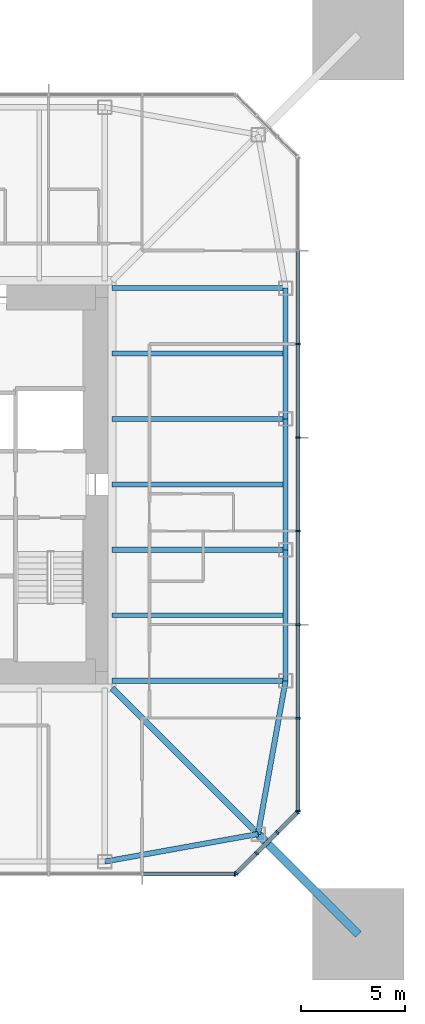
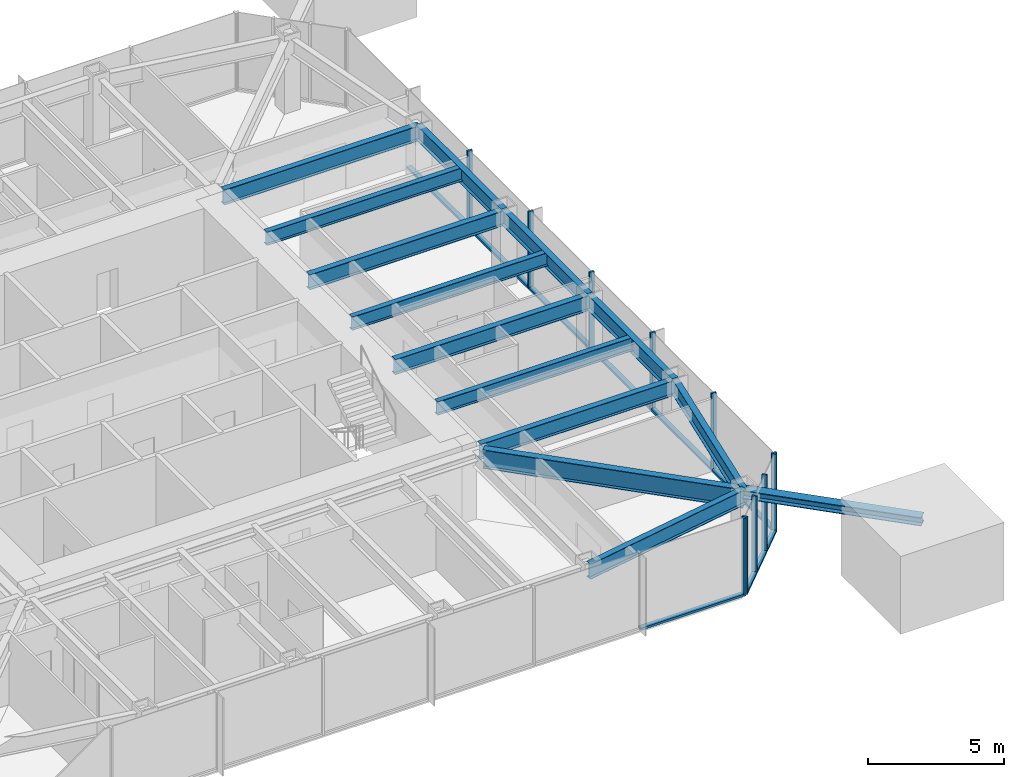
# One storey, part 3 of 11: 22 members, 13 beams, 3 elements without a shape of their own.
"""IFC4 building model written with IfcOpenShell, lengths in metres."""

import ifcopenshell
import ifcopenshell.guid

model = None  # the IFC model being written
_history = None  # IfcOwnerHistory: only IFC2X3 demands one
_inside = {}  # id of a spatial element -> (the spatial element, [elements in it])
_under = {}  # id of a project, library or spatial element -> (it, [spatial elements below it])
_declared = {}  # id of a project -> (the project, [libraries it declares])
_typed = {}  # id of a type object -> (the type object, [elements of that type])
_made_of = {}  # id of a material, layer set ... -> (it, [elements and type objects made of it])


def new_model(schema):
    """Start an empty IFC model of exactly this schema.

    Asked for "IFC4X3", IfcOpenShell would pick the latest addendum, in which some entities
    have other attributes; the version numbers below select the first issue.
    IFC2X3 requires an IfcOwnerHistory on every rooted entity: one is made here for all.
    """
    global model, _history
    if schema == "IFC4X3":
        model = ifcopenshell.file(schema_version=(4, 3, 0, 0))
    else:
        model = ifcopenshell.file(schema=schema)
    _inside.clear()
    _under.clear()
    _declared.clear()
    _typed.clear()
    _made_of.clear()
    _history = None
    if model.schema == "IFC2X3":
        org = make("IfcOrganization", Name="unknown")
        user = make(
            "IfcPersonAndOrganization",
            ThePerson=make("IfcPerson", FamilyName="unknown"),
            TheOrganization=org,
        )
        app = make(
            "IfcApplication",
            ApplicationDeveloper=org,
            Version="unknown",
            ApplicationFullName="unknown",
            ApplicationIdentifier="unknown",
        )
        _history = make(
            "IfcOwnerHistory",
            OwningUser=user,
            OwningApplication=app,
            ChangeAction="ADDED",
            CreationDate=0,
        )
    return model


def make(cls, **values):
    """One entity of the class cls with the attributes given. An attribute that is None is left unset."""
    return model.create_entity(
        cls, **{name: value for name, value in values.items() if value is not None}
    )


def rooted(cls, **values):
    """An entity with a GlobalId (a new one), such as an element, a storey or a relation."""
    return make(cls, GlobalId=ifcopenshell.guid.new(), OwnerHistory=_history, **values)


def si_unit(unit_type, name, prefix=None):
    """IfcSIUnit, for example si_unit("LENGTHUNIT", "METRE", prefix="MILLI")."""
    return make("IfcSIUnit", UnitType=unit_type, Prefix=prefix, Name=name)


def assignment(units):
    """IfcUnitAssignment: the units of a project."""
    return None if units is None else make("IfcUnitAssignment", Units=units)


def point(xyz):
    """IfcCartesianPoint."""
    return None if xyz is None else make("IfcCartesianPoint", Coordinates=xyz)


def direction(xyz):
    """IfcDirection."""
    return None if xyz is None else make("IfcDirection", DirectionRatios=xyz)


def frame(location, z_axis=None, x_axis=None):
    """IfcAxis2Placement3D, a coordinate frame: its origin and axes. An axis left out is left unset."""
    return make(
        "IfcAxis2Placement3D",
        Location=point(location),
        Axis=direction(z_axis),
        RefDirection=direction(x_axis),
    )


def frame_2d(location, x_axis=None):
    """IfcAxis2Placement2D, a coordinate frame in the plane: its origin and x axis."""
    return make(
        "IfcAxis2Placement2D", Location=point(location), RefDirection=direction(x_axis)
    )


def origin():
    """The frame at (0, 0, 0) with its axes left unset."""
    return frame((0.0, 0.0, 0.0))


def origin_2d():
    """The frame at (0, 0) in the plane with its x axis left unset."""
    return frame_2d((0.0, 0.0))


def place(relative_to, where):
    """IfcLocalPlacement: puts the frame where relative to a parent placement (None: the world)."""
    return make(
        "IfcLocalPlacement", PlacementRelTo=relative_to, RelativePlacement=where
    )


def context(
    kind, dimensions, precision=None, world=None, true_north=None, identifier=None
):
    """IfcGeometricRepresentationContext, for example the 3D "Model" context."""
    return make(
        "IfcGeometricRepresentationContext",
        ContextIdentifier=identifier,
        ContextType=kind,
        CoordinateSpaceDimension=dimensions,
        Precision=precision,
        WorldCoordinateSystem=world,
        TrueNorth=true_north,
    )


def subcontext(parent, identifier, kind, view, scale=None):
    """IfcGeometricRepresentationSubContext, for example "Body" below "Model"."""
    return make(
        "IfcGeometricRepresentationSubContext",
        ContextIdentifier=identifier,
        ContextType=kind,
        ParentContext=parent,
        TargetScale=scale,
        TargetView=view,
    )


def project(units=None, contexts=None):
    """IfcProject with its units and contexts."""
    return rooted(
        "IfcProject",
        Name="project",
        RepresentationContexts=contexts,
        UnitsInContext=assignment(units),
    )


def spatial(cls, under=None, at=None, **own):
    """A site, building, storey or space (cls), placed at a placement, below another one or the project."""
    s = rooted(cls, ObjectPlacement=at, **own)
    if under is not None:
        _under.setdefault(under.id(), (under, []))[1].append(s)
    return s


def profile(cls, at=None, kind="AREA", **sizes):
    """A parametric profile (cls). Its sizes go by their IFC names, for example OverallWidth=200.0."""
    return make(cls, ProfileType=kind, Position=at, **sizes)


def rectangle(**sizes):
    """IfcRectangleProfileDef."""
    return profile("IfcRectangleProfileDef", **sizes)


def i_section(**sizes):
    """IfcIShapeProfileDef."""
    return profile("IfcIShapeProfileDef", **sizes)


def extrude(swept, where, along, depth):
    """IfcExtrudedAreaSolid: the profile swept, set in the frame where, extruded along a direction by depth."""
    return make(
        "IfcExtrudedAreaSolid",
        SweptArea=swept,
        Position=where,
        ExtrudedDirection=direction(along),
        Depth=depth,
    )


def shape(context_of_items, identifier, shape_type, items):
    """IfcShapeRepresentation: the items that make up one representation, for example the "Body"."""
    return make(
        "IfcShapeRepresentation",
        ContextOfItems=context_of_items,
        RepresentationIdentifier=identifier,
        RepresentationType=shape_type,
        Items=items,
    )


def material(Name=None, Category=None):
    """IfcMaterial."""
    return make("IfcMaterial", Name=Name, Category=Category)


def material_profile(
    of_material, cross_section, Name=None, Category=None, Priority=None
):
    """IfcMaterialProfile: a cross section and its material."""
    return make(
        "IfcMaterialProfile",
        Name=Name,
        Material=of_material,
        Profile=cross_section,
        Priority=Priority,
        Category=Category,
    )


def profile_set(profiles, Name=None, composite=None):
    """IfcMaterialProfileSet."""
    return make(
        "IfcMaterialProfileSet",
        Name=Name,
        MaterialProfiles=profiles,
        CompositeProfile=composite,
    )


def made_of(thing, what):
    """Note that an element or type object is made of a material, layer set ...; save() writes the relation."""
    if what is not None:
        _made_of.setdefault(what.id(), (what, []))[1].append(thing)
    return thing


def type_object(cls, material=None, **own):
    """A type object (cls), such as IfcWallType, which elements share."""
    return made_of(rooted(cls, **own), material)


def element(
    cls,
    number,
    at=None,
    inside=None,
    cuts=None,
    type_object=None,
    material=None,
    context=None,
    identifier="Body",
    shape_type=None,
    held_by="IfcProductDefinitionShape",
    body=None,
    shapes=None,
    **own,
):
    """One element of the class cls, such as IfcWall. Its Tag is "e" and its number.

    at: its placement. inside: the storey or other place that contains it. cuts: it is an
    opening in that element (IfcRelVoidsElement). A single representation is given by context,
    identifier, shape_type and body (its items); several are given by shapes. held_by: the class
    of the entity that holds the representations. save() writes the other relations.
    """
    e = rooted(cls, Tag="e%d" % number, ObjectPlacement=at, **own)
    if body is not None:
        shapes = [shape(context, identifier, shape_type, body)]
    if shapes is not None:
        e.Representation = make(held_by, Representations=shapes)
    if inside is not None:
        _inside.setdefault(inside.id(), (inside, []))[1].append(e)
    if cuts is not None:
        rooted(
            "IfcRelVoidsElement", RelatingBuildingElement=cuts, RelatedOpeningElement=e
        )
    if type_object is not None:
        _typed.setdefault(type_object.id(), (type_object, []))[1].append(e)
    return made_of(e, material)


def aggregate(whole, parts):
    """IfcRelAggregates: a whole, such as a stair, and the parts it consists of."""
    return rooted("IfcRelAggregates", RelatingObject=whole, RelatedObjects=parts)


def save(model, path):
    """Write the relations noted so far, then the file.

    IfcRelAggregates (storeys below a building ...), IfcRelContainedInSpatialStructure (elements
    in a storey), IfcRelDefinesByType, IfcRelAssociatesMaterial and IfcRelDeclares: one each for
    every whole, place, type object, material and project.
    """
    for whole, parts in _under.values():
        aggregate(whole, parts)
    for where, things in _inside.values():
        rooted(
            "IfcRelContainedInSpatialStructure",
            RelatedElements=things,
            RelatingStructure=where,
        )
    for kind, things in _typed.values():
        rooted("IfcRelDefinesByType", RelatedObjects=things, RelatingType=kind)
    for what, things in _made_of.values():
        rooted("IfcRelAssociatesMaterial", RelatedObjects=things, RelatingMaterial=what)
    for by, libraries in _declared.values():
        rooted("IfcRelDeclares", RelatingContext=by, RelatedDefinitions=libraries)
    model.write(path)


model = new_model("IFC4")

# Units and contexts
model_context = context("Model", 3, precision=1e-05, world=origin(), true_north=direction((0.0, 1.0)))
body_context = subcontext(model_context, "Body", "Model", "MODEL_VIEW")
ifc_project = project(units=[si_unit("LENGTHUNIT", "METRE"), si_unit("AREAUNIT", "SQUARE_METRE"), si_unit("VOLUMEUNIT", "CUBIC_METRE"), si_unit("PLANEANGLEUNIT", "RADIAN"), si_unit("MASSUNIT", "GRAM", prefix="KILO")], contexts=[model_context])

# Site, building, storey
site_placement = place(None, origin())
site = spatial("IfcSite", under=ifc_project, at=site_placement, CompositionType="ELEMENT")
building_placement = place(site_placement, origin())
building = spatial("IfcBuilding", under=site, at=building_placement, Name="Iwan Alto Co-Living Towers", CompositionType="ELEMENT")
storey_placement = place(building_placement, frame((0.0, 0.0, 188.0)))
storey = spatial("IfcBuildingStorey", under=building, at=storey_placement, Name="L51", CompositionType="ELEMENT", Elevation=188.0)

# Curtain wall, member
ifc_material_1 = material(Name="Bronze aluminium unitised frame", Category="aluminium")
curtain_wall_type_1 = type_object("IfcCurtainWallType", Name="CURTAIN WALL CW-A", PredefinedType="NOTDEFINED", material=ifc_material_1)
curtain_wall_1_placement = place(storey_placement, origin())
curtain_wall_1 = element("IfcCurtainWall", 1, at=curtain_wall_1_placement, inside=storey, type_object=curtain_wall_type_1, Name="T1 curtain wall S L51", PredefinedType="NOTDEFINED")
ifc_material_2 = material(Name="Aluminium 6063-T6 bronze anodised", Category="aluminium")
ifc_material_profile_1 = material_profile(ifc_material_2, rectangle(XDim=0.199951171875, YDim=0.080078125, at=origin_2d()), Name="AL 80X200")
ifc_profile_set_1 = profile_set([ifc_material_profile_1], Name="Aluminium 6063-T6 bronze anodised")
member_type_1 = type_object("IfcMemberType", Name="CW-A MULLION 80X200", PredefinedType="MULLION", material=ifc_profile_set_1)
member_1_placement = place(storey_placement, frame((15.7099609375, -18.75, 0.0), z_axis=(0.0, 0.0, 1.0), x_axis=(0.0, 1.0, 0.0)))
member_1 = element("IfcMember", 2, at=member_1_placement, type_object=member_type_1, Name="CW-A mullion 8", PredefinedType="MULLION", context=body_context, shape_type="SweptSolid", body=[
    extrude(rectangle(XDim=0.199951171875, YDim=0.080078125, at=origin_2d()), origin(), (0.0, 0.0, 1.0), 3.5),
])

# Curtain wall, members
curtain_wall_2_placement = place(storey_placement, origin())
curtain_wall_2 = element("IfcCurtainWall", 3, at=curtain_wall_2_placement, inside=storey, type_object=curtain_wall_type_1, Name="T1 curtain wall E L51", PredefinedType="NOTDEFINED")
member_2_placement = place(storey_placement, frame((18.75, -15.7099609375, 0.0), z_axis=(0.0, 0.0, 1.0), x_axis=(-1.0, 0.0, 0.0)))
member_2 = element("IfcMember", 4, at=member_2_placement, type_object=member_type_1, Name="CW-A mullion 1", PredefinedType="MULLION", context=body_context, shape_type="SweptSolid", body=[
    extrude(rectangle(XDim=0.199951171875, YDim=0.080078125, at=origin_2d()), origin(), (0.0, 0.0, 1.0), 3.5),
])
member_3_placement = place(storey_placement, frame((18.75, -11.25, 0.0), z_axis=(0.0, 0.0, 1.0), x_axis=(-1.0, 0.0, 0.0)))
member_3 = element("IfcMember", 5, at=member_3_placement, type_object=member_type_1, Name="CW-A mullion 2", PredefinedType="MULLION", context=body_context, shape_type="SweptSolid", body=[
    extrude(rectangle(XDim=0.199951171875, YDim=0.080078125, at=origin_2d()), origin(), (0.0, 0.0, 1.0), 3.5),
])
member_4_placement = place(storey_placement, frame((18.75, -6.75, 0.0), z_axis=(0.0, 0.0, 1.0), x_axis=(-1.0, 0.0, 0.0)))
member_4 = element("IfcMember", 6, at=member_4_placement, type_object=member_type_1, Name="CW-A mullion 3", PredefinedType="MULLION", context=body_context, shape_type="SweptSolid", body=[
    extrude(rectangle(XDim=0.199951171875, YDim=0.080078125, at=origin_2d()), origin(), (0.0, 0.0, 1.0), 3.5),
])
member_5_placement = place(storey_placement, frame((18.75, -2.25, 0.0), z_axis=(0.0, 0.0, 1.0), x_axis=(-1.0, 0.0, 0.0)))
member_5 = element("IfcMember", 7, at=member_5_placement, type_object=member_type_1, Name="CW-A mullion 4", PredefinedType="MULLION", context=body_context, shape_type="SweptSolid", body=[
    extrude(rectangle(XDim=0.199951171875, YDim=0.080078125, at=origin_2d()), origin(), (0.0, 0.0, 1.0), 3.5),
])
member_6_placement = place(storey_placement, frame((18.75, 2.25, 0.0), z_axis=(0.0, 0.0, 1.0), x_axis=(-1.0, 0.0, 0.0)))
member_6 = element("IfcMember", 8, at=member_6_placement, type_object=member_type_1, Name="CW-A mullion 5", PredefinedType="MULLION", context=body_context, shape_type="SweptSolid", body=[
    extrude(rectangle(XDim=0.199951171875, YDim=0.080078125, at=origin_2d()), origin(), (0.0, 0.0, 1.0), 3.5),
])
member_7_placement = place(storey_placement, frame((18.75, 6.75, 0.0), z_axis=(0.0, 0.0, 1.0), x_axis=(-1.0, 0.0, 0.0)))
member_7 = element("IfcMember", 9, at=member_7_placement, type_object=member_type_1, Name="CW-A mullion 6", PredefinedType="MULLION", context=body_context, shape_type="SweptSolid", body=[
    extrude(rectangle(XDim=0.199951171875, YDim=0.080078125, at=origin_2d()), origin(), (0.0, 0.0, 1.0), 3.5),
])

# Member
ifc_material_3 = material(Name="Aluminium 6063-T6 bronze anodised", Category="aluminium")
ifc_material_profile_2 = material_profile(ifc_material_3, rectangle(XDim=0.199951171875, YDim=0.10009765625, at=origin_2d()), Name="AL 200X100")
ifc_profile_set_2 = profile_set([ifc_material_profile_2], Name="Aluminium 6063-T6 bronze anodised")
member_type_2 = type_object("IfcMemberType", Name="CW-A TRANSOM 200X100", PredefinedType="USERDEFINED", material=ifc_profile_set_2)
member_8_placement = place(storey_placement, frame((11.2900390625, -18.75, 0.050048828125), z_axis=(1.0, 0.0, 0.0), x_axis=(0.0, 1.0, 0.0)))
member_8 = element("IfcMember", 10, at=member_8_placement, type_object=member_type_2, Name="CW-A transom 7.1", ObjectType="TRANSOM", PredefinedType="USERDEFINED", context=body_context, shape_type="SweptSolid", body=[
    extrude(rectangle(XDim=0.199951171875, YDim=0.10009765625, at=origin_2d()), origin(), (0.0, 0.0, 1.0), 4.3798828125),
])

aggregate(curtain_wall_1, [member_1, member_8])

member_9_placement = place(storey_placement, frame((18.75, -15.669921875, 0.050048828125), z_axis=(0.0, 1.0, 0.0), x_axis=(-1.0, 0.0, 0.0)))
member_9 = element("IfcMember", 11, at=member_9_placement, type_object=member_type_2, Name="CW-A transom 1.1", ObjectType="TRANSOM", PredefinedType="USERDEFINED", context=body_context, shape_type="SweptSolid", body=[
    extrude(rectangle(XDim=0.199951171875, YDim=0.10009765625, at=origin_2d()), origin(), (0.0, 0.0, 1.0), 4.3798828125),
])

member_10_placement = place(storey_placement, frame((18.75, -11.2099609375, 0.050048828125), z_axis=(0.0, 1.0, 0.0), x_axis=(-1.0, 0.0, 0.0)))
member_10 = element("IfcMember", 12, at=member_10_placement, type_object=member_type_2, Name="CW-A transom 2.1", ObjectType="TRANSOM", PredefinedType="USERDEFINED", context=body_context, shape_type="SweptSolid", body=[
    extrude(rectangle(XDim=0.199951171875, YDim=0.10009765625, at=origin_2d()), origin(), (0.0, 0.0, 1.0), 4.419921875),
])

member_11_placement = place(storey_placement, frame((18.75, -6.7099609375, 0.050048828125), z_axis=(0.0, 1.0, 0.0), x_axis=(-1.0, 0.0, 0.0)))
member_11 = element("IfcMember", 13, at=member_11_placement, type_object=member_type_2, Name="CW-A transom 3.1", ObjectType="TRANSOM", PredefinedType="USERDEFINED", context=body_context, shape_type="SweptSolid", body=[
    extrude(rectangle(XDim=0.199951171875, YDim=0.10009765625, at=origin_2d()), origin(), (0.0, 0.0, 1.0), 4.419921875),
])

member_12_placement = place(storey_placement, frame((18.75, -2.2099609375, 0.050048828125), z_axis=(0.0, 1.0, 0.0), x_axis=(-1.0, 0.0, 0.0)))
member_12 = element("IfcMember", 14, at=member_12_placement, type_object=member_type_2, Name="CW-A transom 4.1", ObjectType="TRANSOM", PredefinedType="USERDEFINED", context=body_context, shape_type="SweptSolid", body=[
    extrude(rectangle(XDim=0.199951171875, YDim=0.10009765625, at=origin_2d()), origin(), (0.0, 0.0, 1.0), 4.419921875),
])

member_13_placement = place(storey_placement, frame((18.75, 2.2900390625, 0.050048828125), z_axis=(0.0, 1.0, 0.0), x_axis=(-1.0, 0.0, 0.0)))
member_13 = element("IfcMember", 15, at=member_13_placement, type_object=member_type_2, Name="CW-A transom 5.1", ObjectType="TRANSOM", PredefinedType="USERDEFINED", context=body_context, shape_type="SweptSolid", body=[
    extrude(rectangle(XDim=0.199951171875, YDim=0.10009765625, at=origin_2d()), origin(), (0.0, 0.0, 1.0), 4.419921875),
])

member_14_placement = place(storey_placement, frame((18.75, 6.7900390625, 0.050048828125), z_axis=(0.0, 1.0, 0.0), x_axis=(-1.0, 0.0, 0.0)))
member_14 = element("IfcMember", 16, at=member_14_placement, type_object=member_type_2, Name="CW-A transom 6.1", ObjectType="TRANSOM", PredefinedType="USERDEFINED", context=body_context, shape_type="SweptSolid", body=[
    extrude(rectangle(XDim=0.199951171875, YDim=0.10009765625, at=origin_2d()), origin(), (0.0, 0.0, 1.0), 4.419921875),
])

aggregate(curtain_wall_2, [member_2, member_3, member_4, member_5, member_6, member_7, member_9, member_10, member_11, member_12, member_13, member_14])

# Curtain wall, members
ifc_material_4 = material(Name="Bronze aluminium unitised frame", Category="aluminium")
curtain_wall_type_2 = type_object("IfcCurtainWallType", Name="CURTAIN WALL CW-B", PredefinedType="NOTDEFINED", material=ifc_material_4)
curtain_wall_3_placement = place(storey_placement, origin())
curtain_wall_3 = element("IfcCurtainWall", 17, at=curtain_wall_3_placement, inside=storey, type_object=curtain_wall_type_2, Name="T1 chamfer curtain wall SE L51", PredefinedType="NOTDEFINED")
ifc_material_5 = material(Name="Aluminium 6063-T6 bronze anodised", Category="aluminium")
ifc_material_profile_3 = material_profile(ifc_material_5, rectangle(XDim=0.199951171875, YDim=0.080078125, at=origin_2d()), Name="AL 80X200")
ifc_profile_set_3 = profile_set([ifc_material_profile_3], Name="Aluminium 6063-T6 bronze anodised")
member_type_3 = type_object("IfcMemberType", Name="CW-B MULLION 80X200", PredefinedType="MULLION", material=ifc_profile_set_3)
member_15_placement = place(storey_placement, frame((15.7783203125, -18.7216796875, 0.0), z_axis=(0.0, 0.0, 1.0), x_axis=(-0.707106781187, 0.707106781187, 0.0)))
member_15 = element("IfcMember", 18, at=member_15_placement, type_object=member_type_3, Name="CW-B mullion 1", PredefinedType="MULLION", context=body_context, shape_type="SweptSolid", body=[
    extrude(rectangle(XDim=0.199951171875, YDim=0.080078125, at=origin_2d()), origin(), (0.0, 0.0, 1.0), 3.5),
])
member_16_placement = place(storey_placement, frame((16.75, -17.75, 0.0), z_axis=(0.0, 0.0, 1.0), x_axis=(-0.707106781187, 0.707106781187, 0.0)))
member_16 = element("IfcMember", 19, at=member_16_placement, type_object=member_type_3, Name="CW-B mullion 2", PredefinedType="MULLION", context=body_context, shape_type="SweptSolid", body=[
    extrude(rectangle(XDim=0.199951171875, YDim=0.080078125, at=origin_2d()), origin(), (0.0, 0.0, 1.0), 3.5),
])
member_17_placement = place(storey_placement, frame((17.75, -16.75, 0.0), z_axis=(0.0, 0.0, 1.0), x_axis=(-0.707106781187, 0.707106781187, 0.0)))
member_17 = element("IfcMember", 20, at=member_17_placement, type_object=member_type_3, Name="CW-B mullion 3", PredefinedType="MULLION", context=body_context, shape_type="SweptSolid", body=[
    extrude(rectangle(XDim=0.199951171875, YDim=0.080078125, at=origin_2d()), origin(), (0.0, 0.0, 1.0), 3.5),
])
member_18_placement = place(storey_placement, frame((18.7216796875, -15.7783203125, 0.0), z_axis=(0.0, 0.0, 1.0), x_axis=(-0.707106781187, 0.707106781187, 0.0)))
member_18 = element("IfcMember", 21, at=member_18_placement, type_object=member_type_3, Name="CW-B mullion 4", PredefinedType="MULLION", context=body_context, shape_type="SweptSolid", body=[
    extrude(rectangle(XDim=0.199951171875, YDim=0.080078125, at=origin_2d()), origin(), (0.0, 0.0, 1.0), 3.5),
])
ifc_material_6 = material(Name="Aluminium 6063-T6 bronze anodised", Category="aluminium")
ifc_material_profile_4 = material_profile(ifc_material_6, rectangle(XDim=0.199951171875, YDim=0.10009765625, at=origin_2d()), Name="AL 200X100")
ifc_profile_set_4 = profile_set([ifc_material_profile_4], Name="Aluminium 6063-T6 bronze anodised")
member_type_4 = type_object("IfcMemberType", Name="CW-B TRANSOM 200X100", PredefinedType="USERDEFINED", material=ifc_profile_set_4)
member_19_placement = place(storey_placement, frame((15.806640625, -18.693359375, 0.050048828125), z_axis=(0.707106781187, 0.707106781187, 0.0), x_axis=(-0.707106781187, 0.707106781187, 0.0)))
member_19 = element("IfcMember", 22, at=member_19_placement, type_object=member_type_4, Name="CW-B transom 1.1", ObjectType="TRANSOM", PredefinedType="USERDEFINED", context=body_context, shape_type="SweptSolid", body=[
    extrude(rectangle(XDim=0.199951171875, YDim=0.10009765625, at=origin_2d()), origin(), (0.0, 0.0, 1.0), 1.2939453125),
])
member_20_placement = place(storey_placement, frame((16.7783203125, -17.7216796875, 0.050048828125), z_axis=(0.707106781187, 0.707106781187, 0.0), x_axis=(-0.707106781187, 0.707106781187, 0.0)))
member_20 = element("IfcMember", 23, at=member_20_placement, type_object=member_type_4, Name="CW-B transom 2.1", ObjectType="TRANSOM", PredefinedType="USERDEFINED", context=body_context, shape_type="SweptSolid", body=[
    extrude(rectangle(XDim=0.199951171875, YDim=0.10009765625, at=origin_2d()), origin(), (0.0, 0.0, 1.0), 1.334228515625),
])
member_21_placement = place(storey_placement, frame((17.7783203125, -16.7216796875, 0.050048828125), z_axis=(0.707106781187, 0.707106781187, 0.0), x_axis=(-0.707106781187, 0.707106781187, 0.0)))
member_21 = element("IfcMember", 24, at=member_21_placement, type_object=member_type_4, Name="CW-B transom 3.1", ObjectType="TRANSOM", PredefinedType="USERDEFINED", context=body_context, shape_type="SweptSolid", body=[
    extrude(rectangle(XDim=0.199951171875, YDim=0.10009765625, at=origin_2d()), origin(), (0.0, 0.0, 1.0), 1.2939453125),
])
aggregate(curtain_wall_3, [member_15, member_16, member_17, member_18, member_19, member_20, member_21])

# Beams
ifc_material_7 = material(Name="Steel ASTM A992 Gr 50", Category="steel")
ifc_material_profile_5 = material_profile(ifc_material_7, i_section(OverallWidth=0.2919921875, OverallDepth=0.8408203125, WebThickness=0.0146484375, FlangeThickness=0.021728515625, at=origin_2d()), Name="W33X130")
ifc_profile_set_5 = profile_set([ifc_material_profile_5], Name="Steel ASTM A992 Gr 50")
beam_type_1 = type_object("IfcBeamType", Name="T1 CORNER GIRDER W33X130", PredefinedType="BEAM", material=ifc_profile_set_5)
beam_1_placement = place(storey_placement, frame((16.82568359375, -16.82568359375, 2.849609375), z_axis=(-0.707106781187, 0.707106781187, 0.0), x_axis=(-0.707106781187, -0.707106781187, 0.0)))
element("IfcBeam", 25, at=beam_1_placement, inside=storey, type_object=beam_type_1, Name="T1 corner girder CSE L52", PredefinedType="BEAM", context=body_context, shape_type="SweptSolid", body=[
    extrude(i_section(OverallWidth=0.2919921875, OverallDepth=0.8408203125, WebThickness=0.0146484375, FlangeThickness=0.021728515625, at=origin_2d()), origin(), (0.0, 0.0, 1.0), 9.936767578125),
])
ifc_material_8 = material(Name="Steel ASTM A992 Gr 50", Category="steel")
ifc_material_profile_6 = material_profile(ifc_material_8, i_section(OverallWidth=0.25390625, OverallDepth=0.683349609375, WebThickness=0.012451171875, FlangeThickness=0.018798828125, at=origin_2d()), Name="W27X94")
ifc_profile_set_6 = profile_set([ifc_material_profile_6], Name="Steel ASTM A992 Gr 50")
beam_type_2 = type_object("IfcBeamType", Name="T1 EDGE BEAM W27X94", PredefinedType="BEAM", material=ifc_profile_set_6)
for number, where, z_axis, x_axis, name in (
    (26, (9.449951171875, -18.14990234375, 2.928466796875), (0.98426263553, 0.17671181143, 0.0), (-0.17671181143, 0.98426263553, 0.0), "T1 edge beam S4 L52"),
    (27, (16.82568359375, -16.82568359375, 2.928466796875), (0.17671181143, 0.98426263553, 0.0), (-0.98426263553, 0.17671181143, 0.0), "T1 edge beam CSE L52"),
):
    element("IfcBeam", number, at=place(storey_placement, frame(where, z_axis=z_axis, x_axis=x_axis)), inside=storey, type_object=beam_type_2, Name=name, PredefinedType="BEAM", context=body_context, shape_type="SweptSolid", body=[
        extrude(i_section(OverallWidth=0.25390625, OverallDepth=0.683349609375, WebThickness=0.012451171875, FlangeThickness=0.018798828125, at=origin_2d()), origin(), (0.0, 0.0, 1.0), 7.49365234375),
    ])
beam_2_placement = place(storey_placement, frame((18.14990234375, -9.449951171875, 2.928466796875), z_axis=(0.0, 1.0, 0.0), x_axis=(-1.0, 0.0, 0.0)))
element("IfcBeam", 28, at=beam_2_placement, inside=storey, type_object=beam_type_2, Name="T1 edge beam E1 L52", PredefinedType="BEAM", context=body_context, shape_type="SweptSolid", body=[
    extrude(i_section(OverallWidth=0.25390625, OverallDepth=0.683349609375, WebThickness=0.012451171875, FlangeThickness=0.018798828125, at=origin_2d()), origin(), (0.0, 0.0, 1.0), 6.300048828125),
])
beam_3_placement = place(storey_placement, frame((18.14990234375, -3.14990234375, 2.928466796875), z_axis=(0.0, 1.0, 0.0), x_axis=(-1.0, 0.0, 0.0)))
element("IfcBeam", 29, at=beam_3_placement, inside=storey, type_object=beam_type_2, Name="T1 edge beam E2 L52", PredefinedType="BEAM", context=body_context, shape_type="SweptSolid", body=[
    extrude(i_section(OverallWidth=0.25390625, OverallDepth=0.683349609375, WebThickness=0.012451171875, FlangeThickness=0.018798828125, at=origin_2d()), origin(), (0.0, 0.0, 1.0), 6.2998046875),
])
beam_4_placement = place(storey_placement, frame((18.14990234375, 3.14990234375, 2.928466796875), z_axis=(0.0, 1.0, 0.0), x_axis=(-1.0, 0.0, 0.0)))
element("IfcBeam", 30, at=beam_4_placement, inside=storey, type_object=beam_type_2, Name="T1 edge beam E3 L52", PredefinedType="BEAM", context=body_context, shape_type="SweptSolid", body=[
    extrude(i_section(OverallWidth=0.25390625, OverallDepth=0.683349609375, WebThickness=0.012451171875, FlangeThickness=0.018798828125, at=origin_2d()), origin(), (0.0, 0.0, 1.0), 6.300048828125),
])

# Member
ifc_material_9 = material(Name="Steel ASTM A992 Gr 50", Category="steel")
ifc_material_profile_7 = material_profile(ifc_material_9, i_section(OverallWidth=0.393798828125, OverallDepth=0.3759765625, WebThickness=0.017333984375, FlangeThickness=0.027587890625, at=origin_2d()), Name="W14X145")
ifc_profile_set_7 = profile_set([ifc_material_profile_7], Name="Steel ASTM A992 Gr 50")
member_type_5 = type_object("IfcMemberType", Name="T1 MEGA COLUMN FLOOR TIE W14X145", PredefinedType="STRUT", material=ifc_profile_set_7)
member_22_placement = place(storey_placement, frame((21.64990234375, -21.64990234375, 3.08203125), z_axis=(-0.707106781187, 0.707106781187, 0.0), x_axis=(-0.707106781187, -0.707106781187, 0.0)))
element("IfcMember", 31, at=member_22_placement, inside=storey, type_object=member_type_5, Name="T1 mega column floor tie SE L52", PredefinedType="STRUT", context=body_context, shape_type="SweptSolid", body=[
    extrude(i_section(OverallWidth=0.393798828125, OverallDepth=0.3759765625, WebThickness=0.017333984375, FlangeThickness=0.027587890625, at=origin_2d()), origin(), (0.0, 0.0, 1.0), 6.822509765625),
])

# Beams
ifc_material_10 = material(Name="Steel ASTM A992 Gr 50", Category="steel")
ifc_material_profile_8 = material_profile(ifc_material_10, i_section(OverallWidth=0.25390625, OverallDepth=0.683349609375, WebThickness=0.012451171875, FlangeThickness=0.018798828125, at=origin_2d()), Name="W27X94")
ifc_profile_set_8 = profile_set([ifc_material_profile_8], Name="Steel ASTM A992 Gr 50")
beam_type_3 = type_object("IfcBeamType", Name="T1 RADIAL BEAM W27X94", PredefinedType="BEAM", material=ifc_profile_set_8)
for number, where, z_axis, x_axis, name in (
    (32, (18.14990234375, -9.449951171875, 2.928466796875), (-1.0, 0.0, 0.0), (0.0, -1.0, 0.0), "T1 radial beam E1 L52"),
    (33, (18.14990234375, -3.14990234375, 2.928466796875), (-1.0, 0.0, 0.0), (0.0, -1.0, 0.0), "T1 radial beam E2 L52"),
    (34, (18.14990234375, 3.14990234375, 2.928466796875), (-1.0, 0.0, 0.0), (0.0, -1.0, 0.0), "T1 radial beam E3 L52"),
    (35, (18.14990234375, 9.449951171875, 2.928466796875), (-1.0, 0.0, 0.0), (0.0, -1.0, 0.0), "T1 radial beam E4 L52"),
):
    element("IfcBeam", number, at=place(storey_placement, frame(where, z_axis=z_axis, x_axis=x_axis)), inside=storey, type_object=beam_type_3, Name=name, PredefinedType="BEAM", context=body_context, shape_type="SweptSolid", body=[
        extrude(i_section(OverallWidth=0.25390625, OverallDepth=0.683349609375, WebThickness=0.012451171875, FlangeThickness=0.018798828125, at=origin_2d()), origin(), (0.0, 0.0, 1.0), 8.3505859375),
    ])
ifc_material_11 = material(Name="Steel ASTM A992 Gr 50", Category="steel")
ifc_material_profile_9 = material_profile(ifc_material_11, i_section(OverallWidth=0.228271484375, OverallDepth=0.607177734375, WebThickness=0.01123046875, FlangeThickness=0.017333984375, at=origin_2d()), Name="W24X76")
ifc_profile_set_9 = profile_set([ifc_material_profile_9], Name="Steel ASTM A992 Gr 50")
beam_type_4 = type_object("IfcBeamType", Name="T1 SECONDARY BEAM W24X76", PredefinedType="JOIST", material=ifc_profile_set_9)
for number, where, z_axis, x_axis, name in (
    (36, (18.14990234375, -6.300048828125, 2.966552734375), (-1.0, 0.0, 0.0), (0.0, -1.0, 0.0), "T1 secondary beam E1 L52"),
    (37, (18.14990234375, 0.0, 2.966552734375), (-1.0, 0.0, 0.0), (0.0, -1.0, 0.0), "T1 secondary beam E2 L52"),
    (38, (18.14990234375, 6.300048828125, 2.966552734375), (-1.0, 0.0, 0.0), (0.0, -1.0, 0.0), "T1 secondary beam E3 L52"),
):
    element("IfcBeam", number, at=place(storey_placement, frame(where, z_axis=z_axis, x_axis=x_axis)), inside=storey, type_object=beam_type_4, Name=name, PredefinedType="JOIST", context=body_context, shape_type="SweptSolid", body=[
        extrude(i_section(OverallWidth=0.228271484375, OverallDepth=0.607177734375, WebThickness=0.01123046875, FlangeThickness=0.017333984375, at=origin_2d()), origin(), (0.0, 0.0, 1.0), 8.3505859375),
    ])

save(model, "model.ifc")
